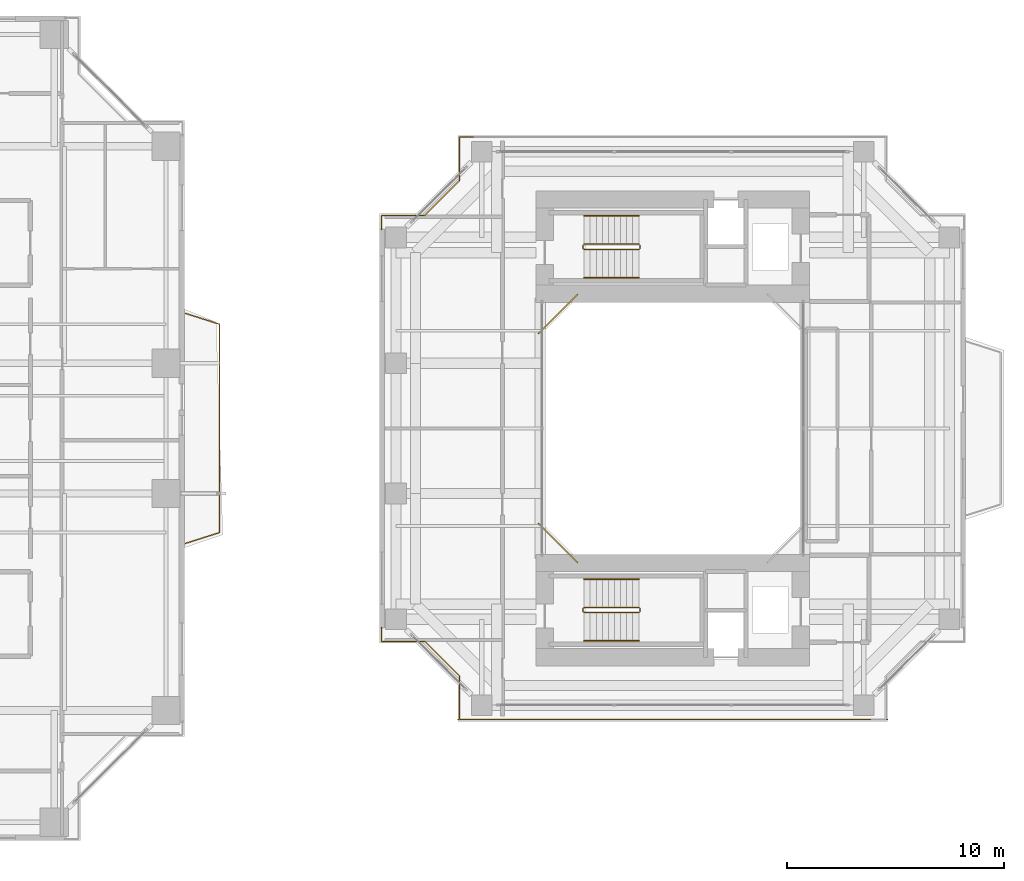
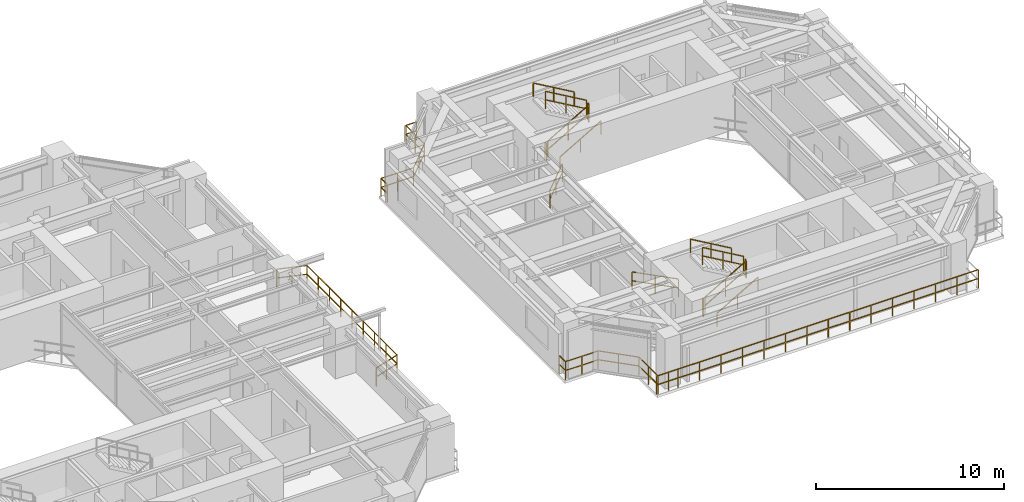
# One storey, part 22 of 23: 18 railings.
"""IFC4 building model written with IfcOpenShell, lengths in metres."""

from ifc_helpers import new_model, si_unit, direction, frame, origin, origin_2d, place, context, subcontext, project, spatial, rectangle, extrude, material, type_object, element, save


model = new_model("IFC4")

# Units and contexts
model_context = context("Model", 3, precision=1e-05, world=origin(), true_north=direction((0.0, 1.0)))
body_context = subcontext(model_context, "Body", "Model", "MODEL_VIEW")
ifc_project = project(units=[si_unit("LENGTHUNIT", "METRE"), si_unit("AREAUNIT", "SQUARE_METRE"), si_unit("VOLUMEUNIT", "CUBIC_METRE"), si_unit("PLANEANGLEUNIT", "RADIAN"), si_unit("MASSUNIT", "GRAM", prefix="KILO"), si_unit("THERMODYNAMICTEMPERATUREUNIT", "KELVIN"), si_unit("POWERUNIT", "WATT")], contexts=[model_context])

# Site, building, storey
site_placement = place(None, origin())
site = spatial("IfcSite", under=ifc_project, at=site_placement, CompositionType="ELEMENT")
building_placement = place(site_placement, origin())
building = spatial("IfcBuilding", under=site, at=building_placement, Name="Qiaomeng Ring Towers", CompositionType="ELEMENT")
storey_placement = place(building_placement, frame((0.0, 0.0, 66.5)))
storey = spatial("IfcBuildingStorey", under=building, at=storey_placement, Name="L18", CompositionType="ELEMENT", Elevation=66.5)

# Railings
ifc_material_1 = material(Name="Low-E pale-green laminated safety glass", Category="glass")
railing_type_1 = type_object("IfcRailingType", Name="ARC-RL-BAL1", PredefinedType="BALUSTRADE", material=ifc_material_1)
railing_1_placement = place(storey_placement, frame((38.050048828125, 17.699951171875, 0.0)))
element("IfcRailing", 1, at=railing_1_placement, inside=storey, type_object=railing_type_1, Name="L18 Balustrade ARC-BAL-L18-T1-E", PredefinedType="BALUSTRADE", context=body_context, shape_type="SweptSolid", body=[
    extrude(rectangle(XDim=0.048095703125, YDim=0.048095703125, at=origin_2d()), frame((0.0, 0.0, 1.17578125), z_axis=(0.952849860715, 0.303442157479, 0.0), x_axis=(-0.303442157479, 0.952849860715, 0.0)), (0.0, 0.0, 1.0), 1.647705078125),
    extrude(rectangle(XDim=0.048095703125, YDim=0.048095703125, at=origin_2d()), frame((0.0, 0.0, 0.60009765625), z_axis=(0.952849860715, 0.303442157479, 0.0), x_axis=(-0.303442157479, 0.952849860715, 0.0)), (0.0, 0.0, 1.0), 1.647705078125),
    extrude(rectangle(XDim=0.048095703125, YDim=0.048095703125, at=origin_2d()), frame((1.570068359375, 0.5, 1.17578125), z_axis=(0.0, 1.0, 0.0), x_axis=(-1.0, 0.0, 0.0)), (0.0, 0.0, 1.0), 9.60009765625),
    extrude(rectangle(XDim=0.048095703125, YDim=0.048095703125, at=origin_2d()), frame((1.570068359375, 0.5, 0.60009765625), z_axis=(0.0, 1.0, 0.0), x_axis=(-1.0, 0.0, 0.0)), (0.0, 0.0, 1.0), 9.60009765625),
    extrude(rectangle(XDim=0.048095703125, YDim=0.048095703125, at=origin_2d()), frame((1.570068359375, 10.10009765625, 1.17578125), z_axis=(-0.952849860715, 0.303442157479, 0.0), x_axis=(-0.303442157479, -0.952849860715, 0.0)), (0.0, 0.0, 1.0), 1.647705078125),
    extrude(rectangle(XDim=0.048095703125, YDim=0.048095703125, at=origin_2d()), frame((1.570068359375, 10.10009765625, 0.60009765625), z_axis=(-0.952849860715, 0.303442157479, 0.0), x_axis=(-0.303442157479, -0.952849860715, 0.0)), (0.0, 0.0, 1.0), 1.647705078125),
    extrude(rectangle(XDim=0.0419921875, YDim=0.0419921875, at=origin_2d()), origin(), (0.0, 0.0, 1.0), 1.15185546875),
    extrude(rectangle(XDim=0.0419921875, YDim=0.0419921875, at=origin_2d()), frame((0.78515625, 0.25, 0.0)), (0.0, 0.0, 1.0), 1.15185546875),
    extrude(rectangle(XDim=0.0419921875, YDim=0.0419921875, at=origin_2d()), frame((1.570068359375, 0.5, 0.0)), (0.0, 0.0, 1.0), 1.15185546875),
    extrude(rectangle(XDim=0.0419921875, YDim=0.0419921875, at=origin_2d()), frame((1.570068359375, 1.699951171875, 0.0)), (0.0, 0.0, 1.0), 1.15185546875),
    extrude(rectangle(XDim=0.0419921875, YDim=0.0419921875, at=origin_2d()), frame((1.570068359375, 2.89990234375, 0.0)), (0.0, 0.0, 1.0), 1.15185546875),
    extrude(rectangle(XDim=0.0419921875, YDim=0.0419921875, at=origin_2d()), frame((1.570068359375, 4.10009765625, 0.0)), (0.0, 0.0, 1.0), 1.15185546875),
    extrude(rectangle(XDim=0.0419921875, YDim=0.0419921875, at=origin_2d()), frame((1.570068359375, 5.300048828125, 0.0)), (0.0, 0.0, 1.0), 1.15185546875),
    extrude(rectangle(XDim=0.0419921875, YDim=0.0419921875, at=origin_2d()), frame((1.570068359375, 6.5, 0.0)), (0.0, 0.0, 1.0), 1.15185546875),
    extrude(rectangle(XDim=0.0419921875, YDim=0.0419921875, at=origin_2d()), frame((1.570068359375, 7.7001953125, 0.0)), (0.0, 0.0, 1.0), 1.15185546875),
    extrude(rectangle(XDim=0.0419921875, YDim=0.0419921875, at=origin_2d()), frame((1.570068359375, 8.900146484375, 0.0)), (0.0, 0.0, 1.0), 1.15185546875),
    extrude(rectangle(XDim=0.0419921875, YDim=0.0419921875, at=origin_2d()), frame((1.570068359375, 10.10009765625, 0.0)), (0.0, 0.0, 1.0), 1.15185546875),
    extrude(rectangle(XDim=0.0419921875, YDim=0.0419921875, at=origin_2d()), frame((0.78515625, 10.35009765625, 0.0)), (0.0, 0.0, 1.0), 1.15185546875),
    extrude(rectangle(XDim=0.0419921875, YDim=0.0419921875, at=origin_2d()), frame((0.0, 10.60009765625, 0.0)), (0.0, 0.0, 1.0), 1.15185546875),
])
railing_2_placement = place(storey_placement, frame((56.1201171875, 29.179931640625, 0.0)))
element("IfcRailing", 2, at=railing_2_placement, inside=storey, type_object=railing_type_1, Name="L18 Balustrade ARC-BAL-WELL2-L18-3", PredefinedType="BALUSTRADE", context=body_context, shape_type="SweptSolid", body=[
    extrude(rectangle(XDim=0.048095703125, YDim=0.048095703125, at=origin_2d()), frame((0.0, 0.0, 1.17578125), z_axis=(-0.707106781187, -0.707106781187, 0.0), x_axis=(0.707106781187, -0.707106781187, 0.0)), (0.0, 0.0, 1.0), 2.545654296875),
    extrude(rectangle(XDim=0.048095703125, YDim=0.048095703125, at=origin_2d()), frame((0.0, 0.0, 0.60009765625), z_axis=(-0.707106781187, -0.707106781187, 0.0), x_axis=(0.707106781187, -0.707106781187, 0.0)), (0.0, 0.0, 1.0), 2.545654296875),
    extrude(rectangle(XDim=0.0419921875, YDim=0.0419921875, at=origin_2d()), origin(), (0.0, 0.0, 1.0), 1.15185546875),
    extrude(rectangle(XDim=0.0419921875, YDim=0.0419921875, at=origin_2d()), frame((-0.89990234375, -0.89990234375, 0.0)), (0.0, 0.0, 1.0), 1.15185546875),
    extrude(rectangle(XDim=0.0419921875, YDim=0.0419921875, at=origin_2d()), frame((-1.800048828125, -1.800048828125, 0.0)), (0.0, 0.0, 1.0), 1.15185546875),
])
railing_3_placement = place(storey_placement, frame((54.320068359375, 18.6201171875, 0.0)))
element("IfcRailing", 3, at=railing_3_placement, inside=storey, type_object=railing_type_1, Name="L18 Balustrade ARC-BAL-WELL2-L18-4", PredefinedType="BALUSTRADE", context=body_context, shape_type="SweptSolid", body=[
    extrude(rectangle(XDim=0.048095703125, YDim=0.048095703125, at=origin_2d()), frame((0.0, 0.0, 1.17578125), z_axis=(0.707106781187, -0.707106781187, 0.0), x_axis=(0.707106781187, 0.707106781187, 0.0)), (0.0, 0.0, 1.0), 2.545654296875),
    extrude(rectangle(XDim=0.048095703125, YDim=0.048095703125, at=origin_2d()), frame((0.0, 0.0, 0.60009765625), z_axis=(0.707106781187, -0.707106781187, 0.0), x_axis=(0.707106781187, 0.707106781187, 0.0)), (0.0, 0.0, 1.0), 2.545654296875),
    extrude(rectangle(XDim=0.0419921875, YDim=0.0419921875, at=origin_2d()), origin(), (0.0, 0.0, 1.0), 1.15185546875),
    extrude(rectangle(XDim=0.0419921875, YDim=0.0419921875, at=origin_2d()), frame((0.89990234375, -0.89990234375, 0.0)), (0.0, 0.0, 1.0), 1.15185546875),
    extrude(rectangle(XDim=0.0419921875, YDim=0.0419921875, at=origin_2d()), frame((1.800048828125, -1.800048828125, 0.0)), (0.0, 0.0, 1.0), 1.15185546875),
])
railing_4_placement = place(storey_placement, frame((51.330078125, 36.419921875, 0.0)))
element("IfcRailing", 4, at=railing_4_placement, inside=storey, type_object=railing_type_1, Name="L18 Balustrade ARC-BAL-NOTCH2-L18-NW", PredefinedType="BALUSTRADE", context=body_context, shape_type="SweptSolid", body=[
    extrude(rectangle(XDim=0.048095703125, YDim=0.048095703125, at=origin_2d()), frame((0.0, 0.0, 1.17578125), z_axis=(-1.0, 0.0, 0.0), x_axis=(0.0, -1.0, 0.0)), (0.0, 0.0, 1.0), 0.650146484375),
    extrude(rectangle(XDim=0.048095703125, YDim=0.048095703125, at=origin_2d()), frame((0.0, 0.0, 0.60009765625), z_axis=(-1.0, 0.0, 0.0), x_axis=(0.0, -1.0, 0.0)), (0.0, 0.0, 1.0), 0.650146484375),
    extrude(rectangle(XDim=0.048095703125, YDim=0.048095703125, at=origin_2d()), frame((-0.650146484375, 0.0, 1.17578125), z_axis=(0.0, -1.0, 0.0), x_axis=(1.0, 0.0, 0.0)), (0.0, 0.0, 1.0), 2.0),
    extrude(rectangle(XDim=0.048095703125, YDim=0.048095703125, at=origin_2d()), frame((-0.650146484375, 0.0, 0.60009765625), z_axis=(0.0, -1.0, 0.0), x_axis=(1.0, 0.0, 0.0)), (0.0, 0.0, 1.0), 2.0),
    extrude(rectangle(XDim=0.048095703125, YDim=0.048095703125, at=origin_2d()), frame((-0.650146484375, -2.0, 1.17578125), z_axis=(-0.707106781187, -0.707106781187, 0.0), x_axis=(0.707106781187, -0.707106781187, 0.0)), (0.0, 0.0, 1.0), 2.262451171875),
    extrude(rectangle(XDim=0.048095703125, YDim=0.048095703125, at=origin_2d()), frame((-0.650146484375, -2.0, 0.60009765625), z_axis=(-0.707106781187, -0.707106781187, 0.0), x_axis=(0.707106781187, -0.707106781187, 0.0)), (0.0, 0.0, 1.0), 2.262451171875),
    extrude(rectangle(XDim=0.048095703125, YDim=0.048095703125, at=origin_2d()), frame((-2.25, -3.599853515625, 1.17578125), z_axis=(-1.0, 0.0, 0.0), x_axis=(0.0, -1.0, 0.0)), (0.0, 0.0, 1.0), 2.0),
    extrude(rectangle(XDim=0.048095703125, YDim=0.048095703125, at=origin_2d()), frame((-2.25, -3.599853515625, 0.60009765625), z_axis=(-1.0, 0.0, 0.0), x_axis=(0.0, -1.0, 0.0)), (0.0, 0.0, 1.0), 2.0),
    extrude(rectangle(XDim=0.048095703125, YDim=0.048095703125, at=origin_2d()), frame((-4.25, -3.599853515625, 1.17578125), z_axis=(0.0, -1.0, 0.0), x_axis=(1.0, 0.0, 0.0)), (0.0, 0.0, 1.0), 0.650146484375),
    extrude(rectangle(XDim=0.048095703125, YDim=0.048095703125, at=origin_2d()), frame((-4.25, -3.599853515625, 0.60009765625), z_axis=(0.0, -1.0, 0.0), x_axis=(1.0, 0.0, 0.0)), (0.0, 0.0, 1.0), 0.650146484375),
    extrude(rectangle(XDim=0.0419921875, YDim=0.0419921875, at=origin_2d()), origin(), (0.0, 0.0, 1.0), 1.15185546875),
    extrude(rectangle(XDim=0.0419921875, YDim=0.0419921875, at=origin_2d()), frame((-0.650146484375, 0.0, 0.0)), (0.0, 0.0, 1.0), 1.15185546875),
    extrude(rectangle(XDim=0.0419921875, YDim=0.0419921875, at=origin_2d()), frame((-0.650146484375, -1.0, 0.0)), (0.0, 0.0, 1.0), 1.15185546875),
    extrude(rectangle(XDim=0.0419921875, YDim=0.0419921875, at=origin_2d()), frame((-0.650146484375, -2.0, 0.0)), (0.0, 0.0, 1.0), 1.15185546875),
    extrude(rectangle(XDim=0.0419921875, YDim=0.0419921875, at=origin_2d()), frame((-1.4501953125, -2.7998046875, 0.0)), (0.0, 0.0, 1.0), 1.15185546875),
    extrude(rectangle(XDim=0.0419921875, YDim=0.0419921875, at=origin_2d()), frame((-2.25, -3.599853515625, 0.0)), (0.0, 0.0, 1.0), 1.15185546875),
    extrude(rectangle(XDim=0.0419921875, YDim=0.0419921875, at=origin_2d()), frame((-3.25, -3.599853515625, 0.0)), (0.0, 0.0, 1.0), 1.15185546875),
    extrude(rectangle(XDim=0.0419921875, YDim=0.0419921875, at=origin_2d()), frame((-4.25, -3.599853515625, 0.0)), (0.0, 0.0, 1.0), 1.15185546875),
    extrude(rectangle(XDim=0.0419921875, YDim=0.0419921875, at=origin_2d()), frame((-4.25, -4.25, 0.0)), (0.0, 0.0, 1.0), 1.15185546875),
])
railing_5_placement = place(storey_placement, frame((47.080078125, 13.830078125, 0.0)))
element("IfcRailing", 5, at=railing_5_placement, inside=storey, type_object=railing_type_1, Name="L18 Balustrade ARC-BAL-NOTCH2-L18-SW", PredefinedType="BALUSTRADE", context=body_context, shape_type="SweptSolid", body=[
    extrude(rectangle(XDim=0.048095703125, YDim=0.048095703125, at=origin_2d()), frame((0.0, 0.0, 1.17578125), z_axis=(0.0, -1.0, 0.0), x_axis=(1.0, 0.0, 0.0)), (0.0, 0.0, 1.0), 0.650146484375),
    extrude(rectangle(XDim=0.048095703125, YDim=0.048095703125, at=origin_2d()), frame((0.0, 0.0, 0.60009765625), z_axis=(0.0, -1.0, 0.0), x_axis=(1.0, 0.0, 0.0)), (0.0, 0.0, 1.0), 0.650146484375),
    extrude(rectangle(XDim=0.048095703125, YDim=0.048095703125, at=origin_2d()), frame((0.0, -0.650146484375, 1.17578125), z_axis=(1.0, 0.0, 0.0), x_axis=(0.0, 1.0, 0.0)), (0.0, 0.0, 1.0), 2.0),
    extrude(rectangle(XDim=0.048095703125, YDim=0.048095703125, at=origin_2d()), frame((0.0, -0.650146484375, 0.60009765625), z_axis=(1.0, 0.0, 0.0), x_axis=(0.0, 1.0, 0.0)), (0.0, 0.0, 1.0), 2.0),
    extrude(rectangle(XDim=0.048095703125, YDim=0.048095703125, at=origin_2d()), frame((2.0, -0.650146484375, 1.17578125), z_axis=(0.707106781187, -0.707106781187, 0.0), x_axis=(0.707106781187, 0.707106781187, 0.0)), (0.0, 0.0, 1.0), 2.262451171875),
    extrude(rectangle(XDim=0.048095703125, YDim=0.048095703125, at=origin_2d()), frame((2.0, -0.650146484375, 0.60009765625), z_axis=(0.707106781187, -0.707106781187, 0.0), x_axis=(0.707106781187, 0.707106781187, 0.0)), (0.0, 0.0, 1.0), 2.262451171875),
    extrude(rectangle(XDim=0.048095703125, YDim=0.048095703125, at=origin_2d()), frame((3.599853515625, -2.25, 1.17578125), z_axis=(0.0, -1.0, 0.0), x_axis=(1.0, 0.0, 0.0)), (0.0, 0.0, 1.0), 2.0),
    extrude(rectangle(XDim=0.048095703125, YDim=0.048095703125, at=origin_2d()), frame((3.599853515625, -2.25, 0.60009765625), z_axis=(0.0, -1.0, 0.0), x_axis=(1.0, 0.0, 0.0)), (0.0, 0.0, 1.0), 2.0),
    extrude(rectangle(XDim=0.048095703125, YDim=0.048095703125, at=origin_2d()), frame((3.599853515625, -4.25, 1.17578125), z_axis=(1.0, 0.0, 0.0), x_axis=(0.0, 1.0, 0.0)), (0.0, 0.0, 1.0), 0.650146484375),
    extrude(rectangle(XDim=0.048095703125, YDim=0.048095703125, at=origin_2d()), frame((3.599853515625, -4.25, 0.60009765625), z_axis=(1.0, 0.0, 0.0), x_axis=(0.0, 1.0, 0.0)), (0.0, 0.0, 1.0), 0.650146484375),
    extrude(rectangle(XDim=0.0419921875, YDim=0.0419921875, at=origin_2d()), origin(), (0.0, 0.0, 1.0), 1.15185546875),
    extrude(rectangle(XDim=0.0419921875, YDim=0.0419921875, at=origin_2d()), frame((0.0, -0.650146484375, 0.0)), (0.0, 0.0, 1.0), 1.15185546875),
    extrude(rectangle(XDim=0.0419921875, YDim=0.0419921875, at=origin_2d()), frame((1.0, -0.650146484375, 0.0)), (0.0, 0.0, 1.0), 1.15185546875),
    extrude(rectangle(XDim=0.0419921875, YDim=0.0419921875, at=origin_2d()), frame((2.0, -0.650146484375, 0.0)), (0.0, 0.0, 1.0), 1.15185546875),
    extrude(rectangle(XDim=0.0419921875, YDim=0.0419921875, at=origin_2d()), frame((2.7998046875, -1.4501953125, 0.0)), (0.0, 0.0, 1.0), 1.15185546875),
    extrude(rectangle(XDim=0.0419921875, YDim=0.0419921875, at=origin_2d()), frame((3.599853515625, -2.25, 0.0)), (0.0, 0.0, 1.0), 1.15185546875),
    extrude(rectangle(XDim=0.0419921875, YDim=0.0419921875, at=origin_2d()), frame((3.599853515625, -3.25, 0.0)), (0.0, 0.0, 1.0), 1.15185546875),
    extrude(rectangle(XDim=0.0419921875, YDim=0.0419921875, at=origin_2d()), frame((3.599853515625, -4.25, 0.0)), (0.0, 0.0, 1.0), 1.15185546875),
    extrude(rectangle(XDim=0.0419921875, YDim=0.0419921875, at=origin_2d()), frame((4.25, -4.25, 0.0)), (0.0, 0.0, 1.0), 1.15185546875),
])
railing_6_placement = place(storey_placement, frame((50.60009765625, 9.580078125, 0.0)))
element("IfcRailing", 6, at=railing_6_placement, inside=storey, type_object=railing_type_1, Name="L18 Balustrade ARC-BAL-T2S-L18", PredefinedType="BALUSTRADE", context=body_context, shape_type="SweptSolid", body=[
    extrude(rectangle(XDim=0.048095703125, YDim=0.048095703125, at=origin_2d()), frame((0.0, 0.0, 1.17578125), z_axis=(1.0, 0.0, 0.0), x_axis=(0.0, 1.0, 0.0)), (0.0, 0.0, 1.0), 19.7998046875),
    extrude(rectangle(XDim=0.048095703125, YDim=0.048095703125, at=origin_2d()), frame((0.0, 0.0, 0.60009765625), z_axis=(1.0, 0.0, 0.0), x_axis=(0.0, 1.0, 0.0)), (0.0, 0.0, 1.0), 19.7998046875),
    extrude(rectangle(XDim=0.0419921875, YDim=0.0419921875, at=origin_2d()), origin(), (0.0, 0.0, 1.0), 1.15185546875),
    extrude(rectangle(XDim=0.0419921875, YDim=0.0419921875, at=origin_2d()), frame((1.320068359375, 0.0, 0.0)), (0.0, 0.0, 1.0), 1.15185546875),
    extrude(rectangle(XDim=0.0419921875, YDim=0.0419921875, at=origin_2d()), frame((2.639892578125, 0.0, 0.0)), (0.0, 0.0, 1.0), 1.15185546875),
    extrude(rectangle(XDim=0.0419921875, YDim=0.0419921875, at=origin_2d()), frame((3.9599609375, 0.0, 0.0)), (0.0, 0.0, 1.0), 1.15185546875),
    extrude(rectangle(XDim=0.0419921875, YDim=0.0419921875, at=origin_2d()), frame((5.280029296875, 0.0, 0.0)), (0.0, 0.0, 1.0), 1.15185546875),
    extrude(rectangle(XDim=0.0419921875, YDim=0.0419921875, at=origin_2d()), frame((6.599853515625, 0.0, 0.0)), (0.0, 0.0, 1.0), 1.15185546875),
    extrude(rectangle(XDim=0.0419921875, YDim=0.0419921875, at=origin_2d()), frame((7.919921875, 0.0, 0.0)), (0.0, 0.0, 1.0), 1.15185546875),
    extrude(rectangle(XDim=0.0419921875, YDim=0.0419921875, at=origin_2d()), frame((9.239990234375, 0.0, 0.0)), (0.0, 0.0, 1.0), 1.15185546875),
    extrude(rectangle(XDim=0.0419921875, YDim=0.0419921875, at=origin_2d()), frame((10.559814453125, 0.0, 0.0)), (0.0, 0.0, 1.0), 1.15185546875),
    extrude(rectangle(XDim=0.0419921875, YDim=0.0419921875, at=origin_2d()), frame((11.8798828125, 0.0, 0.0)), (0.0, 0.0, 1.0), 1.15185546875),
    extrude(rectangle(XDim=0.0419921875, YDim=0.0419921875, at=origin_2d()), frame((13.199951171875, 0.0, 0.0)), (0.0, 0.0, 1.0), 1.15185546875),
    extrude(rectangle(XDim=0.0419921875, YDim=0.0419921875, at=origin_2d()), frame((14.519775390625, 0.0, 0.0)), (0.0, 0.0, 1.0), 1.15185546875),
    extrude(rectangle(XDim=0.0419921875, YDim=0.0419921875, at=origin_2d()), frame((15.83984375, 0.0, 0.0)), (0.0, 0.0, 1.0), 1.15185546875),
    extrude(rectangle(XDim=0.0419921875, YDim=0.0419921875, at=origin_2d()), frame((17.159912109375, 0.0, 0.0)), (0.0, 0.0, 1.0), 1.15185546875),
    extrude(rectangle(XDim=0.0419921875, YDim=0.0419921875, at=origin_2d()), frame((18.479736328125, 0.0, 0.0)), (0.0, 0.0, 1.0), 1.15185546875),
    extrude(rectangle(XDim=0.0419921875, YDim=0.0419921875, at=origin_2d()), frame((19.7998046875, 0.0, 0.0)), (0.0, 0.0, 1.0), 1.15185546875),
])
ifc_material_2 = material(Name="Galvanised steel", Category="steel")
railing_type_2 = type_object("IfcRailingType", Name="ARC-RL-GUARD", PredefinedType="GUARDRAIL", material=ifc_material_2)
railing_7_placement = place(storey_placement, frame((56.419921875, 31.25, 0.16259765625)))
element("IfcRailing", 7, at=railing_7_placement, inside=storey, type_object=railing_type_2, Name="L18 ST5 stair guard 1", PredefinedType="GUARDRAIL", context=body_context, shape_type="SweptSolid", body=[
    extrude(rectangle(XDim=0.048095703125, YDim=0.048095703125, at=origin_2d()), frame((0.0, 0.0, 1.1259765625), z_axis=(0.864913338283, 0.0, 0.50192122615), x_axis=(0.0, 1.0, 0.0)), (0.0, 0.0, 1.0), 2.91357421875),
    extrude(rectangle(XDim=0.048095703125, YDim=0.048095703125, at=origin_2d()), frame((0.0, 0.0, 0.574951171875), z_axis=(0.864913338283, 0.0, 0.50192122615), x_axis=(0.0, 1.0, 0.0)), (0.0, 0.0, 1.0), 2.91357421875),
    extrude(rectangle(XDim=0.0419921875, YDim=0.0419921875, at=origin_2d()), origin(), (0.0, 0.0, 1.0), 1.101806640625),
    extrude(rectangle(XDim=0.0419921875, YDim=0.0419921875, at=origin_2d()), frame((1.260009765625, 0.0, 0.731201171875)), (0.0, 0.0, 1.0), 1.101806640625),
    extrude(rectangle(XDim=0.0419921875, YDim=0.0419921875, at=origin_2d()), frame((2.52001953125, 0.0, 1.46240234375)), (0.0, 0.0, 1.0), 1.101806640625),
])
railing_8_placement = place(storey_placement, frame((58.989990234375, 31.300048828125, 1.625)))
element("IfcRailing", 8, at=railing_8_placement, inside=storey, type_object=railing_type_2, Name="L18 ST5 stair guard 2", PredefinedType="GUARDRAIL", context=body_context, shape_type="SweptSolid", body=[
    extrude(rectangle(XDim=0.048095703125, YDim=0.048095703125, at=origin_2d()), frame((0.0, 0.0, 1.1259765625), z_axis=(0.0, 1.0, 0.0), x_axis=(-1.0, 0.0, 0.0)), (0.0, 0.0, 1.0), 0.139892578125),
    extrude(rectangle(XDim=0.048095703125, YDim=0.048095703125, at=origin_2d()), frame((0.0, 0.0, 0.574951171875), z_axis=(0.0, 1.0, 0.0), x_axis=(-1.0, 0.0, 0.0)), (0.0, 0.0, 1.0), 0.139892578125),
    extrude(rectangle(XDim=0.0419921875, YDim=0.0419921875, at=origin_2d()), origin(), (0.0, 0.0, 1.0), 1.101806640625),
    extrude(rectangle(XDim=0.0419921875, YDim=0.0419921875, at=origin_2d()), frame((0.0, 0.139892578125, 0.0)), (0.0, 0.0, 1.0), 1.101806640625),
])
railing_9_placement = place(storey_placement, frame((58.93994140625, 31.489990234375, 1.78759765625)))
element("IfcRailing", 9, at=railing_9_placement, inside=storey, type_object=railing_type_2, Name="L18 ST5 stair guard 3", PredefinedType="GUARDRAIL", context=body_context, shape_type="SweptSolid", body=[
    extrude(rectangle(XDim=0.048095703125, YDim=0.048095703125, at=origin_2d()), frame((0.0, 0.0, 1.1259765625), z_axis=(-0.864913338283, 0.0, 0.50192122615), x_axis=(0.0, -1.0, 0.0)), (0.0, 0.0, 1.0), 2.91357421875),
    extrude(rectangle(XDim=0.048095703125, YDim=0.048095703125, at=origin_2d()), frame((0.0, 0.0, 0.574951171875), z_axis=(-0.864913338283, 0.0, 0.50192122615), x_axis=(0.0, -1.0, 0.0)), (0.0, 0.0, 1.0), 2.91357421875),
    extrude(rectangle(XDim=0.0419921875, YDim=0.0419921875, at=origin_2d()), origin(), (0.0, 0.0, 1.0), 1.101806640625),
    extrude(rectangle(XDim=0.0419921875, YDim=0.0419921875, at=origin_2d()), frame((-1.260009765625, 0.0, 0.731201171875)), (0.0, 0.0, 1.0), 1.101806640625),
    extrude(rectangle(XDim=0.0419921875, YDim=0.0419921875, at=origin_2d()), frame((-2.52001953125, 0.0, 1.46240234375)), (0.0, 0.0, 1.0), 1.101806640625),
])
railing_10_placement = place(storey_placement, frame((56.3701171875, 31.300048828125, 0.0)))
element("IfcRailing", 10, at=railing_10_placement, inside=storey, type_object=railing_type_2, Name="L18 ST5 stair guard 4", PredefinedType="GUARDRAIL", context=body_context, shape_type="SweptSolid", body=[
    extrude(rectangle(XDim=0.048095703125, YDim=0.048095703125, at=origin_2d()), frame((0.0, 0.0, 1.1259765625), z_axis=(0.0, 1.0, 0.0), x_axis=(-1.0, 0.0, 0.0)), (0.0, 0.0, 1.0), 0.139892578125),
    extrude(rectangle(XDim=0.048095703125, YDim=0.048095703125, at=origin_2d()), frame((0.0, 0.0, 0.574951171875), z_axis=(0.0, 1.0, 0.0), x_axis=(-1.0, 0.0, 0.0)), (0.0, 0.0, 1.0), 0.139892578125),
    extrude(rectangle(XDim=0.0419921875, YDim=0.0419921875, at=origin_2d()), origin(), (0.0, 0.0, 1.0), 1.101806640625),
    extrude(rectangle(XDim=0.0419921875, YDim=0.0419921875, at=origin_2d()), frame((0.0, 0.139892578125, 0.0)), (0.0, 0.0, 1.0), 1.101806640625),
])
railing_11_placement = place(storey_placement, frame((56.419921875, 14.510009765625, 0.16259765625)))
element("IfcRailing", 11, at=railing_11_placement, inside=storey, type_object=railing_type_2, Name="L18 ST6 stair guard 1", PredefinedType="GUARDRAIL", context=body_context, shape_type="SweptSolid", body=[
    extrude(rectangle(XDim=0.048095703125, YDim=0.048095703125, at=origin_2d()), frame((0.0, 0.0, 1.1259765625), z_axis=(0.864913338283, 0.0, 0.50192122615), x_axis=(0.0, 1.0, 0.0)), (0.0, 0.0, 1.0), 2.91357421875),
    extrude(rectangle(XDim=0.048095703125, YDim=0.048095703125, at=origin_2d()), frame((0.0, 0.0, 0.574951171875), z_axis=(0.864913338283, 0.0, 0.50192122615), x_axis=(0.0, 1.0, 0.0)), (0.0, 0.0, 1.0), 2.91357421875),
    extrude(rectangle(XDim=0.0419921875, YDim=0.0419921875, at=origin_2d()), origin(), (0.0, 0.0, 1.0), 1.101806640625),
    extrude(rectangle(XDim=0.0419921875, YDim=0.0419921875, at=origin_2d()), frame((1.260009765625, 0.0, 0.731201171875)), (0.0, 0.0, 1.0), 1.101806640625),
    extrude(rectangle(XDim=0.0419921875, YDim=0.0419921875, at=origin_2d()), frame((2.52001953125, 0.0, 1.46240234375)), (0.0, 0.0, 1.0), 1.101806640625),
])
railing_12_placement = place(storey_placement, frame((58.989990234375, 14.56005859375, 1.625)))
element("IfcRailing", 12, at=railing_12_placement, inside=storey, type_object=railing_type_2, Name="L18 ST6 stair guard 2", PredefinedType="GUARDRAIL", context=body_context, shape_type="SweptSolid", body=[
    extrude(rectangle(XDim=0.048095703125, YDim=0.048095703125, at=origin_2d()), frame((0.0, 0.0, 1.1259765625), z_axis=(0.0, 1.0, 0.0), x_axis=(-1.0, 0.0, 0.0)), (0.0, 0.0, 1.0), 0.139892578125),
    extrude(rectangle(XDim=0.048095703125, YDim=0.048095703125, at=origin_2d()), frame((0.0, 0.0, 0.574951171875), z_axis=(0.0, 1.0, 0.0), x_axis=(-1.0, 0.0, 0.0)), (0.0, 0.0, 1.0), 0.139892578125),
    extrude(rectangle(XDim=0.0419921875, YDim=0.0419921875, at=origin_2d()), origin(), (0.0, 0.0, 1.0), 1.101806640625),
    extrude(rectangle(XDim=0.0419921875, YDim=0.0419921875, at=origin_2d()), frame((0.0, 0.139892578125, 0.0)), (0.0, 0.0, 1.0), 1.101806640625),
])
railing_13_placement = place(storey_placement, frame((58.93994140625, 14.75, 1.78759765625)))
element("IfcRailing", 13, at=railing_13_placement, inside=storey, type_object=railing_type_2, Name="L18 ST6 stair guard 3", PredefinedType="GUARDRAIL", context=body_context, shape_type="SweptSolid", body=[
    extrude(rectangle(XDim=0.048095703125, YDim=0.048095703125, at=origin_2d()), frame((0.0, 0.0, 1.1259765625), z_axis=(-0.864913338283, 0.0, 0.50192122615), x_axis=(0.0, -1.0, 0.0)), (0.0, 0.0, 1.0), 2.91357421875),
    extrude(rectangle(XDim=0.048095703125, YDim=0.048095703125, at=origin_2d()), frame((0.0, 0.0, 0.574951171875), z_axis=(-0.864913338283, 0.0, 0.50192122615), x_axis=(0.0, -1.0, 0.0)), (0.0, 0.0, 1.0), 2.91357421875),
    extrude(rectangle(XDim=0.0419921875, YDim=0.0419921875, at=origin_2d()), origin(), (0.0, 0.0, 1.0), 1.101806640625),
    extrude(rectangle(XDim=0.0419921875, YDim=0.0419921875, at=origin_2d()), frame((-1.260009765625, 0.0, 0.731201171875)), (0.0, 0.0, 1.0), 1.101806640625),
    extrude(rectangle(XDim=0.0419921875, YDim=0.0419921875, at=origin_2d()), frame((-2.52001953125, 0.0, 1.46240234375)), (0.0, 0.0, 1.0), 1.101806640625),
])
railing_14_placement = place(storey_placement, frame((56.3701171875, 14.56005859375, 0.0)))
element("IfcRailing", 14, at=railing_14_placement, inside=storey, type_object=railing_type_2, Name="L18 ST6 stair guard 4", PredefinedType="GUARDRAIL", context=body_context, shape_type="SweptSolid", body=[
    extrude(rectangle(XDim=0.048095703125, YDim=0.048095703125, at=origin_2d()), frame((0.0, 0.0, 1.1259765625), z_axis=(0.0, 1.0, 0.0), x_axis=(-1.0, 0.0, 0.0)), (0.0, 0.0, 1.0), 0.139892578125),
    extrude(rectangle(XDim=0.048095703125, YDim=0.048095703125, at=origin_2d()), frame((0.0, 0.0, 0.574951171875), z_axis=(0.0, 1.0, 0.0), x_axis=(-1.0, 0.0, 0.0)), (0.0, 0.0, 1.0), 0.139892578125),
    extrude(rectangle(XDim=0.0419921875, YDim=0.0419921875, at=origin_2d()), origin(), (0.0, 0.0, 1.0), 1.101806640625),
    extrude(rectangle(XDim=0.0419921875, YDim=0.0419921875, at=origin_2d()), frame((0.0, 0.139892578125, 0.0)), (0.0, 0.0, 1.0), 1.101806640625),
])
ifc_material_3 = material(Name="Stainless steel 316", Category="steel")
railing_type_3 = type_object("IfcRailingType", Name="ARC-RL-HAND", PredefinedType="HANDRAIL", material=ifc_material_3)
railing_15_placement = place(storey_placement, frame((56.419921875, 29.949951171875, 0.16259765625)))
element("IfcRailing", 15, at=railing_15_placement, inside=storey, type_object=railing_type_3, Name="L18 ST5 stair handrail 1", PredefinedType="HANDRAIL", context=body_context, shape_type="SweptSolid", body=[
    extrude(rectangle(XDim=0.048095703125, YDim=0.048095703125, at=origin_2d()), frame((0.0, 0.0, 0.8759765625), z_axis=(0.864913338283, 0.0, 0.50192122615), x_axis=(0.0, 1.0, 0.0)), (0.0, 0.0, 1.0), 2.91357421875),
    extrude(rectangle(XDim=0.0419921875, YDim=0.0419921875, at=origin_2d()), origin(), (0.0, 0.0, 1.0), 0.851806640625),
    extrude(rectangle(XDim=0.0419921875, YDim=0.0419921875, at=origin_2d()), frame((1.260009765625, 0.0, 0.731201171875)), (0.0, 0.0, 1.0), 0.851806640625),
    extrude(rectangle(XDim=0.0419921875, YDim=0.0419921875, at=origin_2d()), frame((2.52001953125, 0.0, 1.46240234375)), (0.0, 0.0, 1.0), 0.851806640625),
])
railing_16_placement = place(storey_placement, frame((58.93994140625, 32.7900390625, 1.78759765625)))
element("IfcRailing", 16, at=railing_16_placement, inside=storey, type_object=railing_type_3, Name="L18 ST5 stair handrail 2", PredefinedType="HANDRAIL", context=body_context, shape_type="SweptSolid", body=[
    extrude(rectangle(XDim=0.048095703125, YDim=0.048095703125, at=origin_2d()), frame((0.0, 0.0, 0.8759765625), z_axis=(-0.864913338283, 0.0, 0.50192122615), x_axis=(0.0, -1.0, 0.0)), (0.0, 0.0, 1.0), 2.91357421875),
    extrude(rectangle(XDim=0.0419921875, YDim=0.0419921875, at=origin_2d()), origin(), (0.0, 0.0, 1.0), 0.851806640625),
    extrude(rectangle(XDim=0.0419921875, YDim=0.0419921875, at=origin_2d()), frame((-1.260009765625, 0.0, 0.731201171875)), (0.0, 0.0, 1.0), 0.851806640625),
    extrude(rectangle(XDim=0.0419921875, YDim=0.0419921875, at=origin_2d()), frame((-2.52001953125, 0.0, 1.46240234375)), (0.0, 0.0, 1.0), 0.851806640625),
])
railing_17_placement = place(storey_placement, frame((56.419921875, 13.2099609375, 0.16259765625)))
element("IfcRailing", 17, at=railing_17_placement, inside=storey, type_object=railing_type_3, Name="L18 ST6 stair handrail 1", PredefinedType="HANDRAIL", context=body_context, shape_type="SweptSolid", body=[
    extrude(rectangle(XDim=0.048095703125, YDim=0.048095703125, at=origin_2d()), frame((0.0, 0.0, 0.8759765625), z_axis=(0.864913338283, 0.0, 0.50192122615), x_axis=(0.0, 1.0, 0.0)), (0.0, 0.0, 1.0), 2.91357421875),
    extrude(rectangle(XDim=0.0419921875, YDim=0.0419921875, at=origin_2d()), origin(), (0.0, 0.0, 1.0), 0.851806640625),
    extrude(rectangle(XDim=0.0419921875, YDim=0.0419921875, at=origin_2d()), frame((1.260009765625, 0.0, 0.731201171875)), (0.0, 0.0, 1.0), 0.851806640625),
    extrude(rectangle(XDim=0.0419921875, YDim=0.0419921875, at=origin_2d()), frame((2.52001953125, 0.0, 1.46240234375)), (0.0, 0.0, 1.0), 0.851806640625),
])
railing_18_placement = place(storey_placement, frame((58.93994140625, 16.050048828125, 1.78759765625)))
element("IfcRailing", 18, at=railing_18_placement, inside=storey, type_object=railing_type_3, Name="L18 ST6 stair handrail 2", PredefinedType="HANDRAIL", context=body_context, shape_type="SweptSolid", body=[
    extrude(rectangle(XDim=0.048095703125, YDim=0.048095703125, at=origin_2d()), frame((0.0, 0.0, 0.8759765625), z_axis=(-0.864913338283, 0.0, 0.50192122615), x_axis=(0.0, -1.0, 0.0)), (0.0, 0.0, 1.0), 2.91357421875),
    extrude(rectangle(XDim=0.0419921875, YDim=0.0419921875, at=origin_2d()), origin(), (0.0, 0.0, 1.0), 0.851806640625),
    extrude(rectangle(XDim=0.0419921875, YDim=0.0419921875, at=origin_2d()), frame((-1.260009765625, 0.0, 0.731201171875)), (0.0, 0.0, 1.0), 0.851806640625),
    extrude(rectangle(XDim=0.0419921875, YDim=0.0419921875, at=origin_2d()), frame((-2.52001953125, 0.0, 1.46240234375)), (0.0, 0.0, 1.0), 0.851806640625),
])

save(model, "model.ifc")
